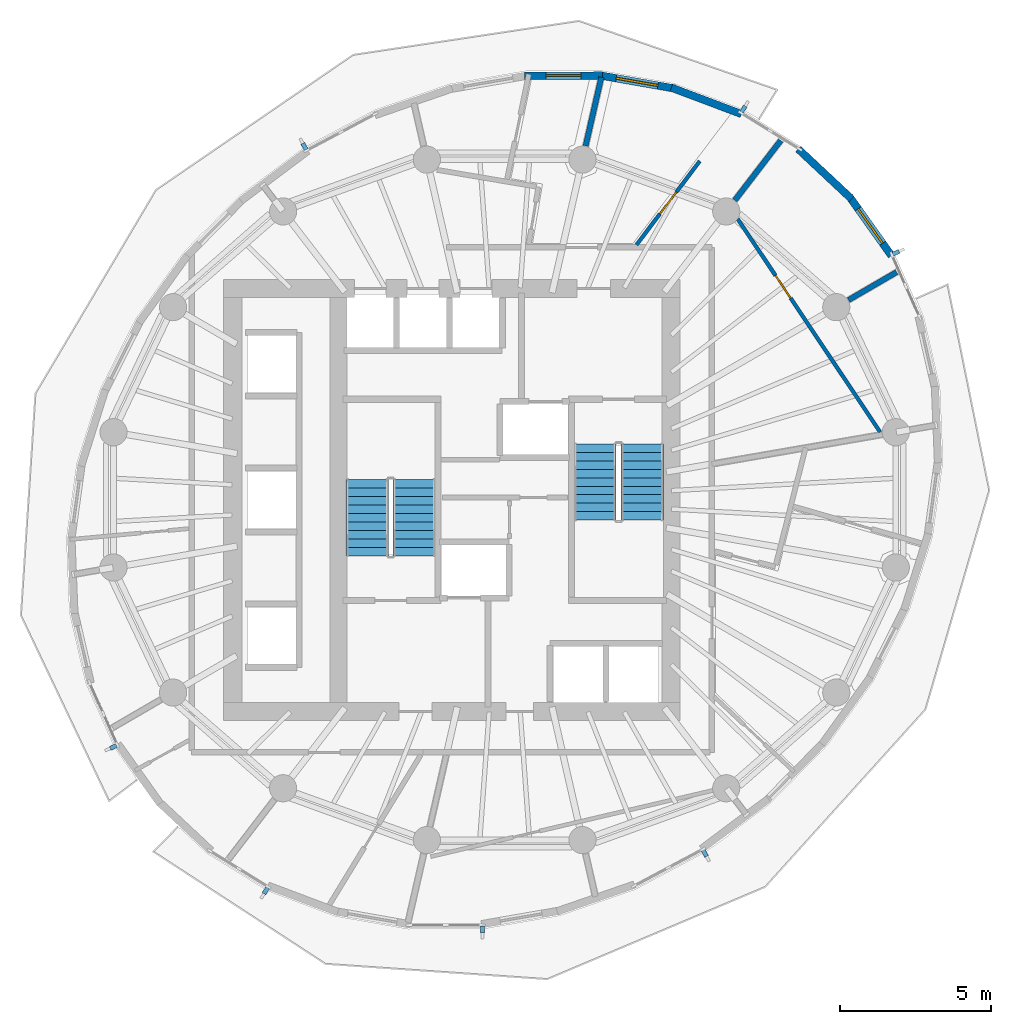
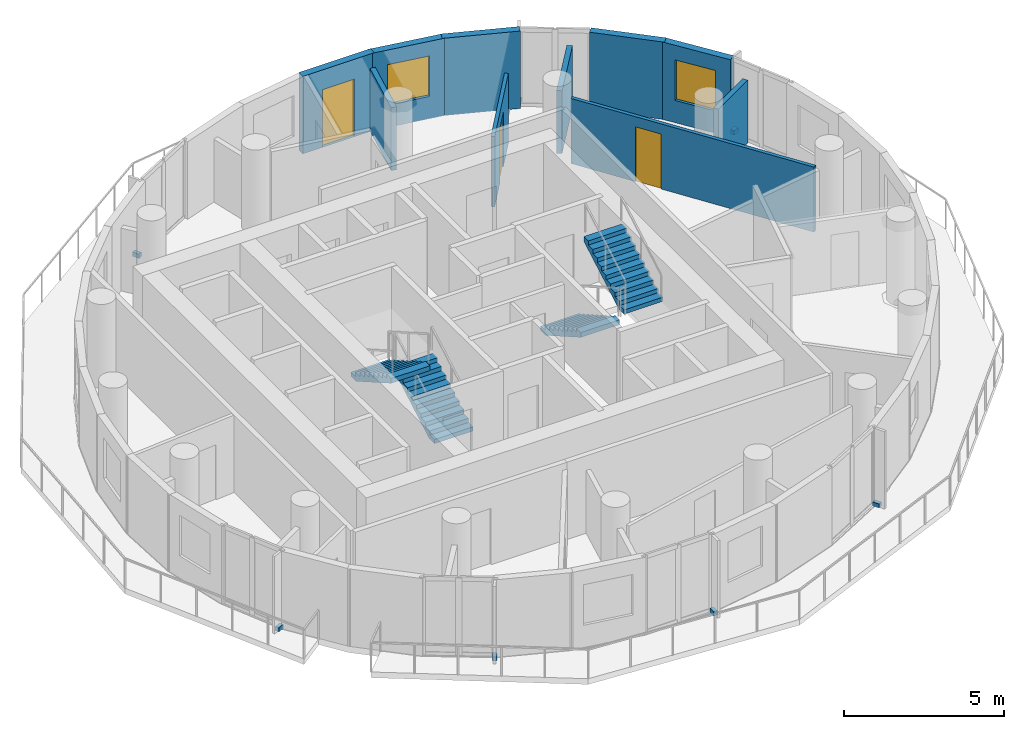
# One storey, part 7 of 10: 10 walls, 7 discrete accessories, 4 stair flights, 3 doors, 2 windows, 5 openings, 2 elements without a shape of their own.
"""IFC4 building model written with IfcOpenShell, lengths in metres."""

from ifc_helpers import new_model, si_unit, direction, frame, frame_2d, origin, origin_2d, place, context, subcontext, project, spatial, polyline, rectangle, outline, extrude, material, layer, layer_set, type_object, element, fill, aggregate, save


model = new_model("IFC4")

# Units and contexts
model_context = context("Model", 3, precision=1e-05, world=origin(), true_north=direction((0.0, 1.0)))
body_context = subcontext(model_context, "Body", "Model", "MODEL_VIEW")
ifc_project = project(units=[si_unit("LENGTHUNIT", "METRE"), si_unit("AREAUNIT", "SQUARE_METRE"), si_unit("VOLUMEUNIT", "CUBIC_METRE"), si_unit("PLANEANGLEUNIT", "RADIAN"), si_unit("MASSUNIT", "GRAM", prefix="KILO")], contexts=[model_context])

# Site, building, storey
site_placement = place(None, origin())
site = spatial("IfcSite", under=ifc_project, at=site_placement, CompositionType="ELEMENT")
building_placement = place(site_placement, origin())
building = spatial("IfcBuilding", under=site, at=building_placement, Name="Veldorim Arch Residences", CompositionType="ELEMENT")
storey_placement = place(building_placement, frame((0.0, 0.0, 166.239990234375)))
storey = spatial("IfcBuildingStorey", under=building, at=storey_placement, Name="L49", CompositionType="ELEMENT", Elevation=166.239990234375)

# Wall, opening, door
ifc_material_1 = material(Name="Acoustic Gypsum Board", Category="gypsum")
ifc_layer_1 = layer(ifc_material_1, 0.125, Name="Acoustic Stud Room Partition Wall 125")
ifc_layer_set_1 = layer_set([ifc_layer_1], Name="Acoustic Gypsum Board")
wall_type_1 = type_object("IfcWallType", Name="Acoustic Stud Room Partition Wall 125", PredefinedType="PARTITIONING", material=ifc_layer_set_1)
wall_1_placement = place(storey_placement, frame((38.45654296875, 35.211669921875, 0.0), z_axis=(0.0, 0.0, 1.0), x_axis=(-0.60253871219, -0.798089656813, 0.0)))
wall_1 = element("IfcWall", 1, at=wall_1_placement, inside=storey, type_object=wall_type_1, Name="L49 interior wall WL-RES-L49-014", PredefinedType="PARTITIONING", context=body_context, shape_type="SweptSolid", body=[
    extrude(rectangle(XDim=3.47314453125, YDim=0.125, at=frame_2d((1.736572265625, 0.0))), origin(), (0.0, 0.0, 1.0), 2.69189453125),
])
opening_1_placement = place(wall_1_placement, frame((1.28662109375, 0.0, 0.0)))
opening_1 = element("IfcOpeningElement", 2, at=opening_1_placement, cuts=wall_1, Name="Opening DR-INT", PredefinedType="OPENING", context=body_context, shape_type="SweptSolid", body=[
    extrude(rectangle(XDim=0.89990234375, YDim=2.10009765625, at=frame_2d((0.449951171875, 1.050048828125))), frame((0.0, 0.072509765625, 0.0), z_axis=(0.0, -1.0, 0.0), x_axis=(1.0, 0.0, 0.0)), (0.0, 0.0, 1.0), 0.14501953125),
])
ifc_material_2 = material(Name="Engineered Timber", Category="wood")
door_type_1 = type_object("IfcDoorType", Name="Apartment Internal Room Timber Door 900x2100", OperationType="SINGLE_SWING_LEFT", PredefinedType="DOOR", material=ifc_material_2)
door_1_placement = place(opening_1_placement, origin())
door_1 = element("IfcDoor", 3, at=door_1_placement, inside=storey, type_object=door_type_1, Name="L49 interior door DR-RES-L49-008", OperationType="SINGLE_SWING_RIGHT", OverallHeight=2.10009765625, OverallWidth=0.89990234375, PredefinedType="DOOR", context=body_context, shape_type="SweptSolid", body=[
    extrude(rectangle(XDim=0.89990234375, YDim=2.10009765625, at=frame_2d((0.449951171875, 1.050048828125))), frame((0.0, 0.02490234375, 0.0), z_axis=(0.0, -1.0, 0.0), x_axis=(1.0, 0.0, 0.0)), (0.0, 0.0, 1.0), 0.050048828125),
])
fill(opening_1, door_1)

wall_2_placement = place(storey_placement, frame((39.7119140625, 33.2998046875, 0.0), z_axis=(0.0, 0.0, 1.0), x_axis=(0.555682143097, -0.831394825485, 0.0)))
wall_2 = element("IfcWall", 4, at=wall_2_placement, inside=storey, type_object=wall_type_1, Name="L49 interior wall WL-RES-L49-017", PredefinedType="PARTITIONING", context=body_context, shape_type="SweptSolid", body=[
    extrude(rectangle(XDim=8.48828125, YDim=0.125, at=frame_2d((4.244140625, 0.0))), origin(), (0.0, 0.0, 1.0), 2.488037109375),
])
opening_2_placement = place(wall_2_placement, frame((2.254150390625, 0.0, 0.0)))
opening_2 = element("IfcOpeningElement", 5, at=opening_2_placement, cuts=wall_2, Name="Opening DR-INT", PredefinedType="OPENING", context=body_context, shape_type="SweptSolid", body=[
    extrude(rectangle(XDim=0.89990234375, YDim=2.10009765625, at=frame_2d((0.449951171875, 1.050048828125))), frame((0.0, 0.072509765625, 0.0), z_axis=(0.0, -1.0, 0.0), x_axis=(1.0, 0.0, 0.0)), (0.0, 0.0, 1.0), 0.14501953125),
])
door_2_placement = place(opening_2_placement, origin())
door_2 = element("IfcDoor", 6, at=door_2_placement, inside=storey, type_object=door_type_1, Name="L49 interior door DR-RES-L49-009", OperationType="SINGLE_SWING_LEFT", OverallHeight=2.10009765625, OverallWidth=0.89990234375, PredefinedType="DOOR", context=body_context, shape_type="SweptSolid", body=[
    extrude(rectangle(XDim=0.89990234375, YDim=2.10009765625, at=frame_2d((0.449951171875, 1.050048828125))), frame((0.0, 0.02490234375, 0.0), z_axis=(0.0, -1.0, 0.0), x_axis=(1.0, 0.0, 0.0)), (0.0, 0.0, 1.0), 0.050048828125),
])
fill(opening_2, door_2)

# Walls
ifc_material_3 = material(Name="Lightweight Masonry Block & Gypsum", Category="masonry")
ifc_layer_2 = layer(ifc_material_3, 0.179931640625, Name="Compartment & Corridor Fire-Rated Party Wall 180")
ifc_layer_set_2 = layer_set([ifc_layer_2], Name="Lightweight Masonry Block & Gypsum")
wall_type_2 = type_object("IfcWallType", Name="Compartment & Corridor Fire-Rated Party Wall 180", PredefinedType="PARTITIONING", material=ifc_layer_set_2)
wall_3_placement = place(storey_placement, frame((43.3818359375, 30.614013671875, 0.0), z_axis=(0.0, 0.0, 1.0), x_axis=(0.864604991586, 0.502452195264, 0.0)))
element("IfcWall", 7, at=wall_3_placement, inside=storey, type_object=wall_type_2, Name="L49 interior wall WL-PIER-L49-02", PredefinedType="PARTITIONING", context=body_context, shape_type="SweptSolid", body=[
    extrude(rectangle(XDim=1.841064453125, YDim=0.179931640625, at=frame_2d((0.92041015625, 0.0))), origin(), (0.0, 0.0, 1.0), 2.4033203125),
])
wall_4_placement = place(storey_placement, frame((39.619873046875, 33.91796875, 0.0), z_axis=(0.0, 0.0, 1.0), x_axis=(0.609279402228, 0.792955616678, 0.0)))
element("IfcWall", 8, at=wall_4_placement, inside=storey, type_object=wall_type_2, Name="L49 interior wall WL-PIER-L49-03", PredefinedType="PARTITIONING", context=body_context, shape_type="SweptSolid", body=[
    extrude(rectangle(XDim=2.489501953125, YDim=0.179931640625, at=frame_2d((1.24462890625, 0.0))), origin(), (0.0, 0.0, 1.0), 2.4033203125),
])
wall_5_placement = place(storey_placement, frame((34.679931640625, 35.717529296875, 0.0), z_axis=(0.0, 0.0, 1.0), x_axis=(0.222998449778, 0.974818799263, 0.0)))
element("IfcWall", 9, at=wall_5_placement, inside=storey, type_object=wall_type_2, Name="L49 interior wall WL-PIER-L49-04", PredefinedType="PARTITIONING", context=body_context, shape_type="SweptSolid", body=[
    extrude(rectangle(XDim=2.32861328125, YDim=0.179931640625, at=frame_2d((1.164306640625, 0.0))), origin(), (0.0, 0.0, 1.0), 2.4033203125),
])
ifc_material_4 = material(Name="Precast concrete C40/50", Category="concrete")
ifc_layer_3 = layer(ifc_material_4, 0.25, Name="Tower Terracotta Spandrel & Pier Wall 250")
ifc_layer_set_3 = layer_set([ifc_layer_3], Name="Precast concrete C40/50")
wall_type_3 = type_object("IfcWallType", Name="Tower Terracotta Spandrel & Pier Wall 250", PredefinedType="SOLIDWALL", material=ifc_layer_set_3)
wall_6_placement = place(storey_placement, frame((41.71826171875, 35.61083984375, 0.0), z_axis=(0.0, 0.0, 1.0), x_axis=(0.730224222865, -0.683207570465, 0.0)))
element("IfcWall", 10, at=wall_6_placement, inside=storey, type_object=wall_type_3, Name="L49 terracotta facade wall 01", PredefinedType="SOLIDWALL", context=body_context, shape_type="SweptSolid", body=[
    extrude(rectangle(XDim=2.41455078125, YDim=0.25, at=frame_2d((1.207275390625, 0.0))), origin(), (0.0, 0.0, 1.0), 2.9599609375),
])
wall_7_placement = place(storey_placement, frame((37.519287109375, 37.645263671875, 0.0), z_axis=(0.0, 0.0, 1.0), x_axis=(0.93586674787, -0.352354126172, 0.0)))
element("IfcWall", 11, at=wall_7_placement, inside=storey, type_object=wall_type_3, Name="L49 terracotta facade wall 03", PredefinedType="SOLIDWALL", context=body_context, shape_type="SweptSolid", body=[
    extrude(rectangle(XDim=2.477783203125, YDim=0.25, at=frame_2d((1.23876953125, 0.0))), origin(), (0.0, 0.0, 1.0), 2.9599609375),
])

# Wall, opening, window
wall_8_placement = place(storey_placement, frame((35.134521484375, 38.0546875, 0.0), z_axis=(0.0, 0.0, 1.0), x_axis=(0.984837873762, -0.173477267688, 0.0)))
wall_8 = element("IfcWall", 12, at=wall_8_placement, inside=storey, type_object=wall_type_3, Name="L49 terracotta facade wall 04", PredefinedType="SOLIDWALL", context=body_context, shape_type="SweptSolid", body=[
    extrude(rectangle(XDim=2.53173828125, YDim=0.25, at=frame_2d((1.265869140625, 0.0))), origin(), (0.0, 0.0, 1.0), 2.9599609375),
])
opening_3_placement = place(wall_8_placement, frame((0.56591796875, 0.0, 0.85009765625)))
opening_3 = element("IfcOpeningElement", 13, at=opening_3_placement, cuts=wall_8, Name="Opening WN-02", PredefinedType="OPENING", context=body_context, shape_type="SweptSolid", body=[
    extrude(rectangle(XDim=1.39990234375, YDim=1.550048828125, at=frame_2d((0.699951171875, 0.77490234375))), frame((0.0, 0.135009765625, 0.0), z_axis=(0.0, -1.0, 0.0), x_axis=(1.0, 0.0, 0.0)), (0.0, 0.0, 1.0), 0.27001953125),
])
ifc_material_5 = material(Name="Laminated Low-E Glass", Category="glass")
window_type = type_object("IfcWindowType", Name="Residential Casement Window 1400x1550", PartitioningType="SINGLE_PANEL", PredefinedType="WINDOW", material=ifc_material_5)
window_1_placement = place(opening_3_placement, origin())
window_1 = element("IfcWindow", 14, at=window_1_placement, inside=storey, type_object=window_type, Name="L49 solar-control facade window 04", OverallHeight=1.550048828125, OverallWidth=1.39990234375, PartitioningType="SINGLE_PANEL", PredefinedType="WINDOW", context=body_context, shape_type="SweptSolid", body=[
    extrude(rectangle(XDim=1.39990234375, YDim=1.550048828125, at=frame_2d((0.699951171875, 0.77490234375))), frame((0.0, 0.030029296875, 0.0), z_axis=(0.0, -1.0, 0.0), x_axis=(1.0, 0.0, 0.0)), (0.0, 0.0, 1.0), 0.06005859375),
])
fill(opening_3, window_1)

# Wall, opening, door
wall_9_placement = place(storey_placement, frame((32.653564453125, 38.038330078125, 0.0), z_axis=(0.0, 0.0, 1.0), x_axis=(0.999996522396, 0.002637270663, 0.0)))
wall_9 = element("IfcWall", 15, at=wall_9_placement, inside=storey, type_object=wall_type_3, Name="L49 terracotta facade wall 05", PredefinedType="SOLIDWALL", context=body_context, shape_type="SweptSolid", body=[
    extrude(rectangle(XDim=2.592041015625, YDim=0.25, at=frame_2d((1.2958984375, 0.0))), origin(), (0.0, 0.0, 1.0), 2.9599609375),
])
opening_4_placement = place(wall_9_placement, frame((0.720947265625, 0.0, 0.0)))
opening_4 = element("IfcOpeningElement", 16, at=opening_4_placement, cuts=wall_9, Name="Opening BL-DR", PredefinedType="OPENING", context=body_context, shape_type="SweptSolid", body=[
    extrude(rectangle(XDim=1.14990234375, YDim=2.199951171875, at=frame_2d((0.574951171875, 1.10009765625))), frame((0.0, 0.135009765625, 0.0), z_axis=(0.0, -1.0, 0.0), x_axis=(1.0, 0.0, 0.0)), (0.0, 0.0, 1.0), 0.27001953125),
])
ifc_material_6 = material(Name="Aluminium & Low-E Glass", Category="aluminium")
door_type_2 = type_object("IfcDoorType", Name="Glazed Planted Balcony Door 1150x2200", OperationType="SINGLE_SWING_LEFT", PredefinedType="DOOR", material=ifc_material_6)
door_3_placement = place(opening_4_placement, origin())
door_3 = element("IfcDoor", 17, at=door_3_placement, inside=storey, type_object=door_type_2, Name="L49 glazed outdoor terrace door BALC-1", OperationType="SINGLE_SWING_LEFT", OverallHeight=2.199951171875, OverallWidth=1.14990234375, PredefinedType="DOOR", context=body_context, shape_type="SweptSolid", body=[
    extrude(rectangle(XDim=1.14990234375, YDim=2.199951171875, at=frame_2d((0.574951171875, 1.10009765625))), frame((0.0, 0.02490234375, 0.0), z_axis=(0.0, -1.0, 0.0), x_axis=(1.0, 0.0, 0.0)), (0.0, 0.0, 1.0), 0.050048828125),
])
fill(opening_4, door_3)

# Wall, opening, window
wall_10_placement = place(storey_placement, frame((43.406005859375, 34.04736328125, 0.0), z_axis=(0.0, 0.0, 1.0), x_axis=(0.579505880656, -0.814968057217, 0.0)))
wall_10 = element("IfcWall", 18, at=wall_10_placement, inside=storey, type_object=wall_type_3, Name="L49 terracotta facade wall 36", PredefinedType="SOLIDWALL", context=body_context, shape_type="SweptSolid", body=[
    extrude(rectangle(XDim=2.414794921875, YDim=0.25, at=frame_2d((1.20751953125, 0.0))), origin(), (0.0, 0.0, 1.0), 2.9599609375),
])
opening_5_placement = place(wall_10_placement, frame((0.507080078125, 0.0, 0.85009765625)))
opening_5 = element("IfcOpeningElement", 19, at=opening_5_placement, cuts=wall_10, Name="Opening WN-02", PredefinedType="OPENING", context=body_context, shape_type="SweptSolid", body=[
    extrude(rectangle(XDim=1.39990234375, YDim=1.550048828125, at=frame_2d((0.699951171875, 0.77490234375))), frame((0.0, 0.135009765625, 0.0), z_axis=(0.0, -1.0, 0.0), x_axis=(1.0, 0.0, 0.0)), (0.0, 0.0, 1.0), 0.27001953125),
])
window_2_placement = place(opening_5_placement, origin())
window_2 = element("IfcWindow", 20, at=window_2_placement, inside=storey, type_object=window_type, Name="L49 solar-control facade window 36", OverallHeight=1.550048828125, OverallWidth=1.39990234375, PartitioningType="SINGLE_PANEL", PredefinedType="WINDOW", context=body_context, shape_type="SweptSolid", body=[
    extrude(rectangle(XDim=1.39990234375, YDim=1.550048828125, at=frame_2d((0.699951171875, 0.77490234375))), frame((0.0, 0.030029296875, 0.0), z_axis=(0.0, -1.0, 0.0), x_axis=(1.0, 0.0, 0.0)), (0.0, 0.0, 1.0), 0.06005859375),
])
fill(opening_5, window_2)

# Stair, stair flights
ifc_material_7 = material(Name="Concrete C40/50", Category="concrete")
stair_type = type_object("IfcStairType", Name="Reinforced Concrete Dogleg Exit Staircase", PredefinedType="HALF_TURN_STAIR", material=ifc_material_7)
stair_1_placement = place(storey_placement, origin())
stair_1 = element("IfcStair", 21, at=stair_1_placement, inside=storey, type_object=stair_type, Name="L49 Exit Staircase ST-1", PredefinedType="HALF_TURN_STAIR")
ifc_material_8 = material(Name="Concrete C40/50", Category="concrete")
stair_flight_type = type_object("IfcStairFlightType", Name="Reinforced Concrete Stair Flight 1400", PredefinedType="STRAIGHT", material=ifc_material_8)
stair_flight_1_placement = place(storey_placement, frame((29.010009765625, 22.14990234375, 0.0), z_axis=(0.0, 0.0, 1.0), x_axis=(0.0, 1.0, 0.0)))
stair_flight_1 = element("IfcStairFlight", 22, at=stair_flight_1_placement, type_object=stair_flight_type, Name="ST-1 flight 1", NumberOfRisers=10, NumberOfTreads=9, PredefinedType="STRAIGHT", RiserHeight=0.16, TreadLength=0.28, context=body_context, shape_type="SweptSolid", body=[
    extrude(outline(polyline([(0.0, 0.0), (0.0, 0.159912109375), (0.280029296875, 0.159912109375), (0.280029296875, 0.320068359375), (0.56005859375, 0.320068359375), (0.56005859375, 0.47998046875), (0.840087890625, 0.47998046875), (0.840087890625, 0.639892578125), (1.1201171875, 0.639892578125), (1.1201171875, 0.800048828125), (1.39990234375, 0.800048828125), (1.39990234375, 0.9599609375), (1.679931640625, 0.9599609375), (1.679931640625, 1.1201171875), (1.9599609375, 1.1201171875), (1.9599609375, 1.280029296875), (2.239990234375, 1.280029296875), (2.239990234375, 1.43994140625), (2.52001953125, 1.43994140625), (2.52001953125, 1.60009765625), (2.52001953125, 1.255859375), (0.322265625, 0.0), (0.0, 0.0)])), frame((0.0, 0.699951171875, 0.0), z_axis=(0.0, -1.0, 0.0), x_axis=(1.0, 0.0, 0.0)), (0.0, 0.0, 1.0), 1.39990234375),
])
stair_flight_2_placement = place(storey_placement, frame((27.449951171875, 24.669921875, 1.60009765625), z_axis=(0.0, 0.0, 1.0), x_axis=(0.0, -1.0, 0.0)))
stair_flight_2 = element("IfcStairFlight", 23, at=stair_flight_2_placement, type_object=stair_flight_type, Name="ST-1 flight 2", NumberOfRisers=10, NumberOfTreads=9, PredefinedType="STRAIGHT", RiserHeight=0.16, TreadLength=0.28, context=body_context, shape_type="SweptSolid", body=[
    extrude(outline(polyline([(0.0, 0.0), (0.0, 0.159912109375), (0.280029296875, 0.159912109375), (0.280029296875, 0.320068359375), (0.56005859375, 0.320068359375), (0.56005859375, 0.47998046875), (0.840087890625, 0.47998046875), (0.840087890625, 0.639892578125), (1.1201171875, 0.639892578125), (1.1201171875, 0.800048828125), (1.39990234375, 0.800048828125), (1.39990234375, 0.9599609375), (1.679931640625, 0.9599609375), (1.679931640625, 1.1201171875), (1.9599609375, 1.1201171875), (1.9599609375, 1.280029296875), (2.239990234375, 1.280029296875), (2.239990234375, 1.43994140625), (2.52001953125, 1.43994140625), (2.52001953125, 1.60009765625), (2.52001953125, 1.255859375), (0.322265625, 0.0), (0.0, 0.0)])), frame((0.0, 0.699951171875, 0.0), z_axis=(0.0, -1.0, 0.0), x_axis=(1.0, 0.0, 0.0)), (0.0, 0.0, 1.0), 1.39990234375),
])
aggregate(stair_1, [stair_flight_1, stair_flight_2])

stair_2_placement = place(storey_placement, origin())
stair_2 = element("IfcStair", 24, at=stair_2_placement, inside=storey, type_object=stair_type, Name="L49 Exit Staircase ST-2", PredefinedType="HALF_TURN_STAIR")
stair_flight_3_placement = place(storey_placement, frame((34.989990234375, 25.85009765625, 0.0), z_axis=(0.0, 0.0, 1.0), x_axis=(0.0, -1.0, 0.0)))
stair_flight_3 = element("IfcStairFlight", 25, at=stair_flight_3_placement, type_object=stair_flight_type, Name="ST-2 flight 1", NumberOfRisers=10, NumberOfTreads=9, PredefinedType="STRAIGHT", RiserHeight=0.16, TreadLength=0.28, context=body_context, shape_type="SweptSolid", body=[
    extrude(outline(polyline([(0.0, 0.0), (0.0, 0.159912109375), (0.280029296875, 0.159912109375), (0.280029296875, 0.320068359375), (0.56005859375, 0.320068359375), (0.56005859375, 0.47998046875), (0.840087890625, 0.47998046875), (0.840087890625, 0.639892578125), (1.1201171875, 0.639892578125), (1.1201171875, 0.800048828125), (1.39990234375, 0.800048828125), (1.39990234375, 0.9599609375), (1.679931640625, 0.9599609375), (1.679931640625, 1.1201171875), (1.9599609375, 1.1201171875), (1.9599609375, 1.280029296875), (2.239990234375, 1.280029296875), (2.239990234375, 1.43994140625), (2.52001953125, 1.43994140625), (2.52001953125, 1.60009765625), (2.52001953125, 1.255859375), (0.322265625, 0.0), (0.0, 0.0)])), frame((0.0, 0.699951171875, 0.0), z_axis=(0.0, -1.0, 0.0), x_axis=(1.0, 0.0, 0.0)), (0.0, 0.0, 1.0), 1.39990234375),
])
stair_flight_4_placement = place(storey_placement, frame((36.550048828125, 23.330078125, 1.60009765625), z_axis=(0.0, 0.0, 1.0), x_axis=(0.0, 1.0, 0.0)))
stair_flight_4 = element("IfcStairFlight", 26, at=stair_flight_4_placement, type_object=stair_flight_type, Name="ST-2 flight 2", NumberOfRisers=10, NumberOfTreads=9, PredefinedType="STRAIGHT", RiserHeight=0.16, TreadLength=0.28, context=body_context, shape_type="SweptSolid", body=[
    extrude(outline(polyline([(0.0, 0.0), (0.0, 0.159912109375), (0.280029296875, 0.159912109375), (0.280029296875, 0.320068359375), (0.56005859375, 0.320068359375), (0.56005859375, 0.47998046875), (0.840087890625, 0.47998046875), (0.840087890625, 0.639892578125), (1.1201171875, 0.639892578125), (1.1201171875, 0.800048828125), (1.39990234375, 0.800048828125), (1.39990234375, 0.9599609375), (1.679931640625, 0.9599609375), (1.679931640625, 1.1201171875), (1.9599609375, 1.1201171875), (1.9599609375, 1.280029296875), (2.239990234375, 1.280029296875), (2.239990234375, 1.43994140625), (2.52001953125, 1.43994140625), (2.52001953125, 1.60009765625), (2.52001953125, 1.255859375), (0.322265625, 0.0), (0.0, 0.0)])), frame((0.0, 0.699951171875, 0.0), z_axis=(0.0, -1.0, 0.0), x_axis=(1.0, 0.0, 0.0)), (0.0, 0.0, 1.0), 1.39990234375),
])
aggregate(stair_2, [stair_flight_3, stair_flight_4])

# Discrete accessories
ifc_material_9 = material(Name="Stainless Steel", Category="steel")
discrete_accessory_type = type_object("IfcDiscreteAccessoryType", Name="Stainless Steel Facade Fin Anchor Bracket", PredefinedType="BRACKET", material=ifc_material_9)
for number, where, z_axis, x_axis, name in (
    (27, (39.902099609375, 36.93408203125, -0.02001953125), (0.0, 0.0, 1.0), (0.850719384362, -0.52562013762, 0.0), "L49 stainless fin anchor bracket 02"),
    (28, (25.375244140625, 35.6953125, -0.02001953125), (0.0, 0.0, 1.0), (0.882537565484, 0.470241901057, 0.0), "L49 stainless fin anchor bracket 08"),
    (29, (19.051025390625, 15.822509765625, -0.02001953125), (0.0, 0.0, 1.0), (-0.407214918582, 0.913332365617, 0.0), "L49 stainless fin anchor bracket 17"),
    (30, (24.097900390625, 11.06591796875, -0.02001953125), (0.0, 0.0, 1.0), (-0.850719384362, 0.52562013762, 0.0), "L49 stainless fin anchor bracket 20"),
    (31, (31.264404296875, 9.779052734375, -0.02001953125), (0.0, 0.0, 1.0), (-0.999996573056, -0.002617990887, 0.0), "L49 stainless fin anchor bracket 23"),
    (32, (38.624755859375, 12.3046875, -0.02001953125), (0.0, 0.0, 1.0), (-0.882537565484, -0.470241901057, 0.0), "L49 stainless fin anchor bracket 26"),
    (33, (44.948974609375, 32.177490234375, -0.02001953125), (0.0, 0.0, 1.0), (0.407214918582, -0.913332365617, 0.0), "L49 stainless fin anchor bracket 35"),
):
    element("IfcDiscreteAccessory", number, at=place(storey_placement, frame(where, z_axis=z_axis, x_axis=x_axis)), inside=storey, type_object=discrete_accessory_type, Name=name, PredefinedType="BRACKET", context=body_context, shape_type="SweptSolid", body=[
        extrude(rectangle(XDim=0.139892578125, YDim=0.239990234375, at=origin_2d()), origin(), (0.0, 0.0, 1.0), 0.159912109375),
    ])

save(model, "model.ifc")
